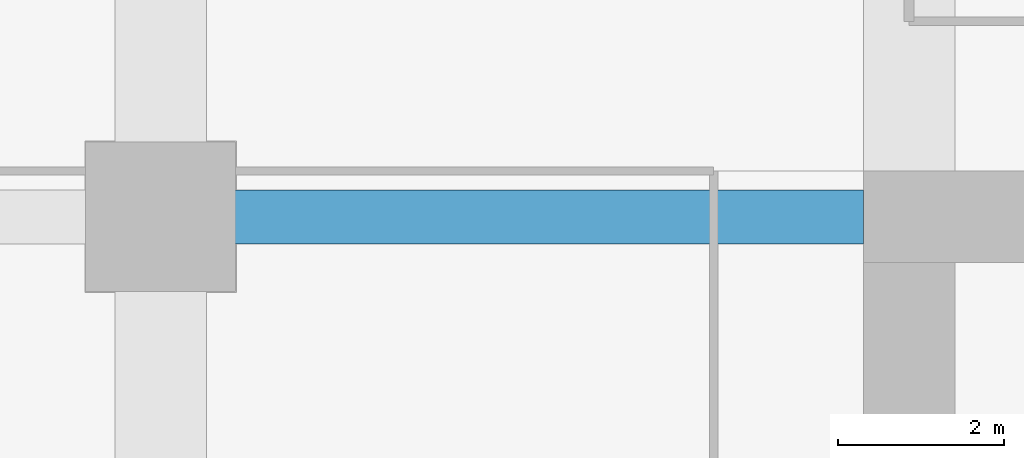
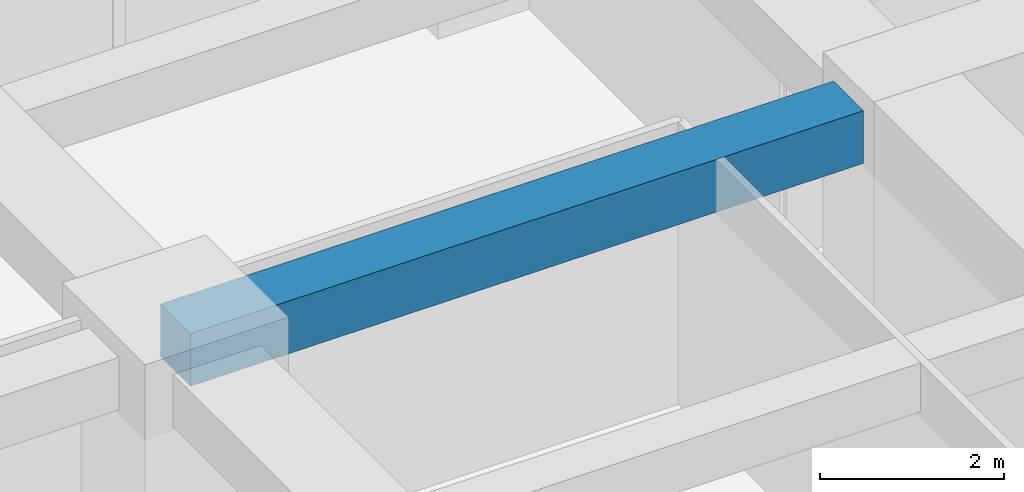
# One storey, part 25 of 40: 1 beam.
"""IFC4 building model written with IfcOpenShell, lengths in metres."""

from ifc_helpers import new_model, si_unit, direction, frame, origin, origin_2d, place, context, subcontext, project, spatial, rectangle, extrude, material, material_profile, profile_set, type_object, element, save


model = new_model("IFC4")

# Units and contexts
model_context = context("Model", 3, precision=1e-05, world=origin(), true_north=direction((0.0, 1.0)))
body_context = subcontext(model_context, "Body", "Model", "MODEL_VIEW")
ifc_project = project(units=[si_unit("LENGTHUNIT", "METRE"), si_unit("AREAUNIT", "SQUARE_METRE"), si_unit("VOLUMEUNIT", "CUBIC_METRE"), si_unit("PLANEANGLEUNIT", "RADIAN"), si_unit("MASSUNIT", "GRAM", prefix="KILO")], contexts=[model_context])

# Site, building, storey
site_placement = place(None, origin())
site = spatial("IfcSite", under=ifc_project, at=site_placement, CompositionType="ELEMENT")
building_placement = place(site_placement, origin())
building = spatial("IfcBuilding", under=site, at=building_placement, Name="Zorevar Civic Tower", CompositionType="ELEMENT")
storey_placement = place(building_placement, frame((0.0, 0.0, 129.0)))
storey = spatial("IfcBuildingStorey", under=building, at=storey_placement, Name="L31", CompositionType="ELEMENT", Elevation=129.0)

# Beam
ifc_material = material(Name="Concrete C50/60", Category="concrete")
ifc_material_profile = material_profile(ifc_material, rectangle(XDim=0.64990234375, YDim=0.699951171875, at=origin_2d()), Name="RC 650x700")
ifc_profile_set = profile_set([ifc_material_profile], Name="Concrete C50/60")
beam_type = type_object("IfcBeamType", Name="Beam RC 650x700", PredefinedType="BEAM", material=ifc_profile_set)
beam_placement = place(storey_placement, frame((9.0, 36.0, 3.39990234375), z_axis=(1.0, 0.0, 0.0), x_axis=(0.0, 1.0, 0.0)))
element("IfcBeam", 1, at=beam_placement, inside=storey, type_object=beam_type, Name="Girder L32", PredefinedType="BEAM", context=body_context, shape_type="SweptSolid", body=[
    extrude(rectangle(XDim=0.64990234375, YDim=0.699951171875, at=origin_2d()), origin(), (0.0, 0.0, 1.0), 8.449951171875),
])

save(model, "model.ifc")
